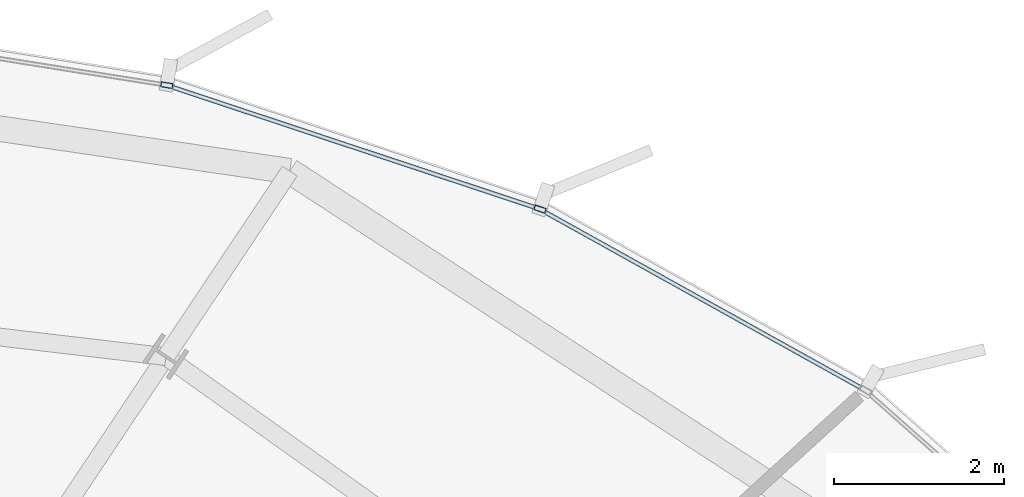
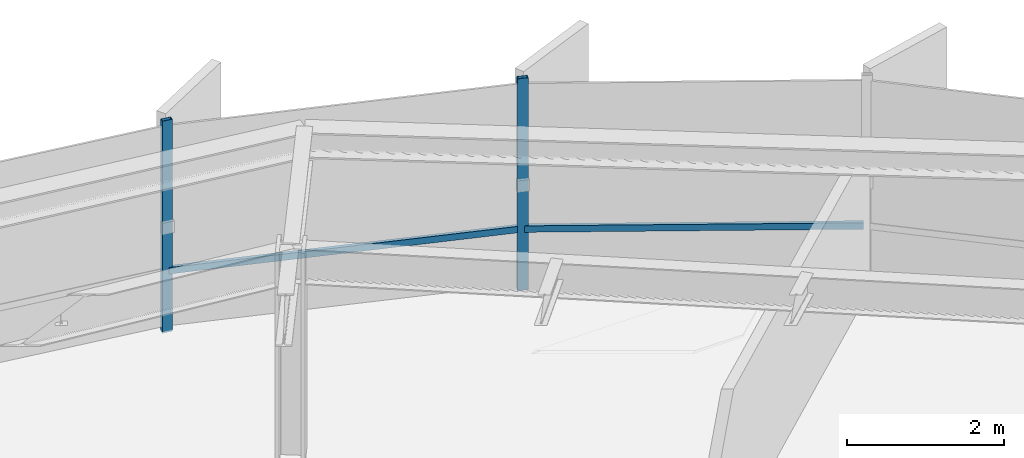
# One storey, part 24 of 36: 4 members, 1 element without a shape of its own.
"""IFC4 building model written with IfcOpenShell, lengths in metres."""

from ifc_helpers import new_model, si_unit, direction, frame, origin, origin_2d, place, context, subcontext, project, spatial, hollow_rectangle, extrude, source, transform, mapped, material, layer, layer_set, material_profile, profile_set, type_object, element, aggregate, save


model = new_model("IFC4")

# Units and contexts
model_context = context("Model", 3, precision=1e-05, world=origin(), true_north=direction((0.0, 1.0)))
body_context = subcontext(model_context, "Body", "Model", "MODEL_VIEW")
ifc_project = project(units=[si_unit("LENGTHUNIT", "METRE"), si_unit("AREAUNIT", "SQUARE_METRE"), si_unit("VOLUMEUNIT", "CUBIC_METRE"), si_unit("PLANEANGLEUNIT", "RADIAN"), si_unit("MASSUNIT", "GRAM", prefix="KILO"), si_unit("THERMODYNAMICTEMPERATUREUNIT", "KELVIN")], contexts=[model_context])

# Site, building, storey
site_placement = place(None, origin())
site = spatial("IfcSite", under=ifc_project, at=site_placement, CompositionType="ELEMENT")
building_placement = place(site_placement, origin())
building = spatial("IfcBuilding", under=site, at=building_placement, Name="Kethvar Cultural Tower", CompositionType="ELEMENT")
storey_placement = place(building_placement, frame((0.0, 0.0, 143.0)))
storey = spatial("IfcBuildingStorey", under=building, at=storey_placement, Name="L36", CompositionType="ELEMENT", Elevation=143.0)

# Curtain wall, members
ifc_material = material(Name="Aluminium 6063-T6", Category="aluminium")
ifc_layer = layer(ifc_material, 0.179931640625, Name="Aluminium 6063-T6", Category="aluminium")
ifc_layer_set = layer_set([ifc_layer], Name="Aluminium 6063-T6 (180 mm)")
curtain_wall_type = type_object("IfcCurtainWallType", Name="CW-SYS-04-Z34", PredefinedType="NOTDEFINED", material=ifc_layer_set)
curtain_wall_placement = place(storey_placement, origin())
curtain_wall = element("IfcCurtainWall", 1, at=curtain_wall_placement, inside=storey, type_object=curtain_wall_type, Name="L36 Curtain Wall Run 01", PredefinedType="NOTDEFINED")
ifc_material_profile_1 = material_profile(ifc_material, hollow_rectangle(XDim=0.06005859375, YDim=0.139892578125, WallThickness=0.0048828125, at=origin_2d()), Name="Aluminium 6063-T6 — RHS140x60x5")
ifc_profile_set_1 = profile_set([ifc_material_profile_1], Name="Aluminium 6063-T6 — RHS140x60x5")
member_type_1 = type_object("IfcMemberType", Name="CW-SYS-04-Z34-MUL", PredefinedType="MULLION", material=ifc_profile_set_1)
shared_shape_1 = source(origin(), body_context, "Body", "SweptSolid", [
    extrude(hollow_rectangle(XDim=0.06005859375, YDim=0.139892578125, WallThickness=0.0048828125, at=origin_2d()), origin(), (0.0, 0.0, 1.0), 3.300048828125),
])
member_1_placement = place(storey_placement, frame((64.814453125, 49.8994140625, 0.0), z_axis=(0.0, 0.0, 1.0), x_axis=(-0.314837432096, -0.949145611248, 0.0)))
member_1 = element("IfcMember", 2, at=member_1_placement, type_object=member_type_1, Name="CW-L36-R01 Mullion 4", PredefinedType="MULLION", context=body_context, shape_type="MappedRepresentation", body=[
    mapped(shared_shape_1, transform((0.0, 0.0, 0.0), scale=1.0)),
])
member_2_placement = place(storey_placement, frame((60.416015625, 51.35986328125, 0.0), z_axis=(0.0, 0.0, 1.0), x_axis=(-0.157572096294, -0.987507485779, 0.0)))
member_2 = element("IfcMember", 3, at=member_2_placement, type_object=member_type_1, Name="CW-L36-R01 Mullion 5", PredefinedType="MULLION", context=body_context, shape_type="MappedRepresentation", body=[
    mapped(shared_shape_1, transform((0.0, 0.0, 0.0), scale=1.0)),
])
ifc_material_profile_2 = material_profile(ifc_material, hollow_rectangle(XDim=0.050048828125, YDim=0.10009765625, WallThickness=0.00390625, at=origin_2d()), Name="Aluminium 6063-T6 — RHS100x50x4")
ifc_profile_set_2 = profile_set([ifc_material_profile_2], Name="Aluminium 6063-T6 — RHS100x50x4")
member_type_2 = type_object("IfcMemberType", Name="CW-SYS-04-Z34-TRN", PredefinedType="USERDEFINED", material=ifc_profile_set_2)
shared_shape_2 = source(origin(), body_context, "Body", "SweptSolid", [
    extrude(hollow_rectangle(XDim=0.050048828125, YDim=0.10009765625, WallThickness=0.00390625, at=origin_2d()), origin(), (0.0, 0.0, 1.0), 4.326416015625),
])
member_3_placement = place(storey_placement, frame((68.614013671875, 47.78369140625, 0.949951171875), z_axis=(-0.873901615242, 0.486102835703, 0.0), x_axis=(-0.486102835703, -0.873901615242, 0.0)))
member_3 = element("IfcMember", 4, at=member_3_placement, type_object=member_type_2, Name="CW-L36-R01 Transom 3", ObjectType="TRANSOM", PredefinedType="USERDEFINED", context=body_context, shape_type="MappedRepresentation", body=[
    mapped(shared_shape_2, transform((0.0, 0.0, 0.0), scale=1.0)),
])
shared_shape_3 = source(origin(), body_context, "Body", "SweptSolid", [
    extrude(hollow_rectangle(XDim=0.050048828125, YDim=0.10009765625, WallThickness=0.00390625, at=origin_2d()), origin(), (0.0, 0.0, 1.0), 4.56591796875),
])
member_4_placement = place(storey_placement, frame((64.7734375, 49.912841796875, 0.949951171875), z_axis=(-0.949147461298, 0.314831854663, 0.0), x_axis=(-0.314831854663, -0.949147461298, 0.0)))
member_4 = element("IfcMember", 5, at=member_4_placement, type_object=member_type_2, Name="CW-L36-R01 Transom 4", ObjectType="TRANSOM", PredefinedType="USERDEFINED", context=body_context, shape_type="MappedRepresentation", body=[
    mapped(shared_shape_3, transform((0.0, 0.0, 0.0), scale=1.0)),
])
aggregate(curtain_wall, [member_1, member_2, member_3, member_4])

save(model, "model.ifc")
